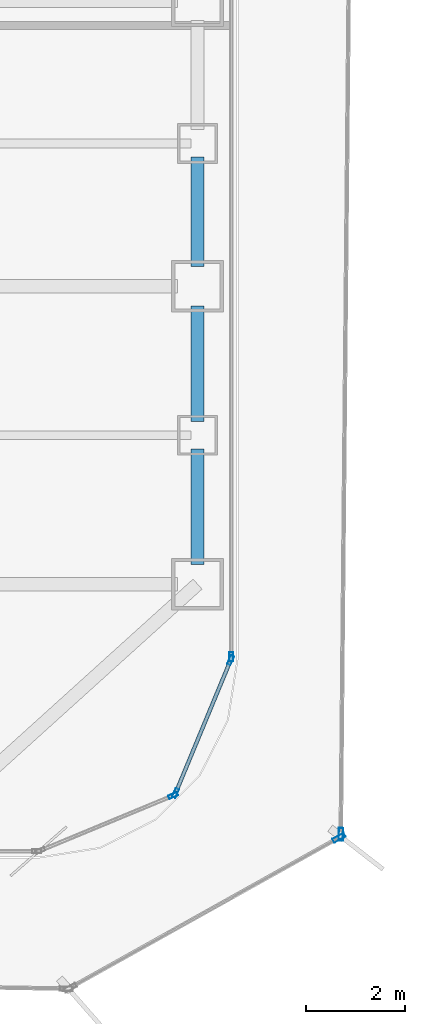
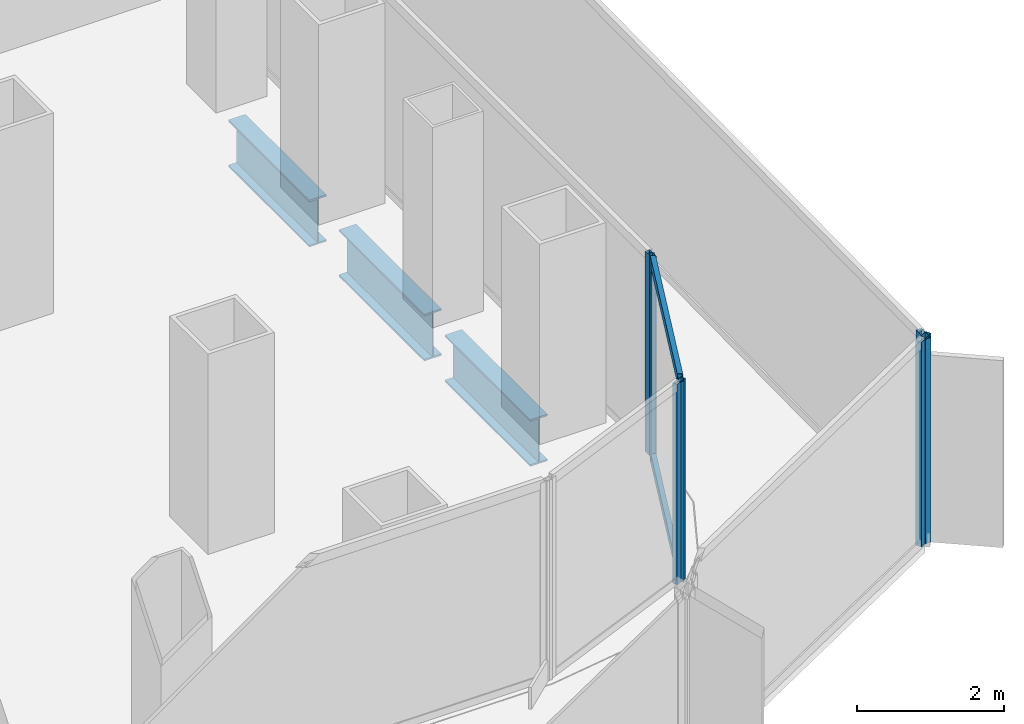
# One storey, part 8 of 21: 8 members, 3 beams, 5 elements without a shape of their own.
"""IFC4 building model written with IfcOpenShell, lengths in metres."""

from ifc_helpers import new_model, si_unit, direction, frame, origin, origin_2d, place, context, subcontext, project, spatial, hollow_rectangle, i_section, extrude, source, transform, mapped, material, layer, layer_set, material_profile, profile_set, type_object, element, aggregate, save


model = new_model("IFC4")

# Units and contexts
model_context = context("Model", 3, precision=1e-05, world=origin(), true_north=direction((0.0, 1.0)))
body_context = subcontext(model_context, "Body", "Model", "MODEL_VIEW")
ifc_project = project(units=[si_unit("LENGTHUNIT", "METRE"), si_unit("AREAUNIT", "SQUARE_METRE"), si_unit("VOLUMEUNIT", "CUBIC_METRE"), si_unit("PLANEANGLEUNIT", "RADIAN"), si_unit("MASSUNIT", "GRAM", prefix="KILO")], contexts=[model_context])

# Site, building, storey
site_placement = place(None, origin())
site = spatial("IfcSite", under=ifc_project, at=site_placement, CompositionType="ELEMENT")
building_placement = place(site_placement, origin())
building = spatial("IfcBuilding", under=site, at=building_placement, Name="Kolveth Station Tower", CompositionType="ELEMENT")
storey_placement = place(building_placement, frame((0.0, 0.0, 58.5)))
storey = spatial("IfcBuildingStorey", under=building, at=storey_placement, Name="L15", CompositionType="ELEMENT", Elevation=58.5)

# Beams
ifc_material_1 = material(Name="Steel S355", Category="steel")
ifc_material_profile_1 = material_profile(ifc_material_1, i_section(OverallWidth=0.26904296875, OverallDepth=0.77490234375, WebThickness=0.01708984375, FlangeThickness=0.0283203125, at=origin_2d()), Name="W760x220")
ifc_profile_set_1 = profile_set([ifc_material_profile_1], Name="Steel S355")
beam_type = type_object("IfcBeamType", Name="Beam_SP1", PredefinedType="SPANDREL", material=ifc_profile_set_1)
shared_shape_1 = source(origin(), body_context, "Body", "SweptSolid", [
    extrude(i_section(OverallWidth=0.26904296875, OverallDepth=0.77490234375, WebThickness=0.01708984375, FlangeThickness=0.0283203125, at=origin_2d()), origin(), (0.0, 0.0, 1.0), 2.320068359375),
])
for number, where, z_axis, x_axis, name in (
    (1, (46.199951171875, 5.89990234375, -0.66748046875), (0.0, 1.0, 0.0), (-1.0, 0.0, 0.0), "L15 Perimeter Spandrel BM-L15-PE-1"),
    (2, (46.199951171875, 8.780029296875, -0.66748046875), (0.0, 1.0, 0.0), (-1.0, 0.0, 0.0), "L15 Perimeter Spandrel BM-L15-PE-2"),
):
    element("IfcBeam", number, at=place(storey_placement, frame(where, z_axis=z_axis, x_axis=x_axis)), inside=storey, type_object=beam_type, Name=name, PredefinedType="SPANDREL", context=body_context, shape_type="MappedRepresentation", body=[
        mapped(shared_shape_1, transform((0.0, 0.0, 0.0), x_axis=(1.0, 0.0, 0.0), y_axis=(0.0, 1.0, 0.0), z_axis=(0.0, 0.0, 1.0), scale=1.0)),
    ])
shared_shape_2 = source(origin(), body_context, "Body", "SweptSolid", [
    extrude(i_section(OverallWidth=0.26904296875, OverallDepth=0.77490234375, WebThickness=0.01708984375, FlangeThickness=0.0283203125, at=origin_2d()), origin(), (0.0, 0.0, 1.0), 2.2001953125),
])
beam_placement = place(storey_placement, frame((46.199951171875, 11.89990234375, -0.66748046875), z_axis=(0.0, 1.0, 0.0), x_axis=(-1.0, 0.0, 0.0)))
element("IfcBeam", 3, at=beam_placement, inside=storey, type_object=beam_type, Name="L15 Perimeter Spandrel BM-L15-PE-3", PredefinedType="SPANDREL", context=body_context, shape_type="MappedRepresentation", body=[
    mapped(shared_shape_2, transform((0.0, 0.0, 0.0), x_axis=(1.0, 0.0, 0.0), y_axis=(0.0, 1.0, 0.0), z_axis=(0.0, 0.0, 1.0), scale=1.0)),
])

# Curtain wall, member
ifc_material_2 = material(Name="Aluminium 6063-T6 and low-E dark glass", Category="aluminium")
ifc_layer_1 = layer(ifc_material_2, 0.179931640625)
ifc_layer_set_1 = layer_set([ifc_layer_1], Name="Aluminium 6063-T6 and low-E dark glass")
curtain_wall_type_1 = type_object("IfcCurtainWallType", Name="CurtainWall_CW-Z1", PredefinedType="NOTDEFINED", material=ifc_layer_set_1)
curtain_wall_1_placement = place(storey_placement, origin())
curtain_wall_1 = element("IfcCurtainWall", 4, at=curtain_wall_1_placement, inside=storey, type_object=curtain_wall_type_1, Name="L15 Inner Thermal Curtain Wall 1", PredefinedType="NOTDEFINED")
ifc_material_3 = material(Name="Black anodized aluminium 6063-T6", Category="aluminium")
ifc_material_profile_2 = material_profile(ifc_material_3, hollow_rectangle(XDim=0.074951171875, YDim=0.18994140625, WallThickness=0.0048828125, at=origin_2d()), Name="ALU-75x190x5")
ifc_profile_set_2 = profile_set([ifc_material_profile_2], Name="Black anodized aluminium 6063-T6")
member_type_1 = type_object("IfcMemberType", Name="Mullion_ML1", PredefinedType="MULLION", material=ifc_profile_set_2)
shared_shape_3 = source(origin(), body_context, "Body", "SweptSolid", [
    extrude(hollow_rectangle(XDim=0.074951171875, YDim=0.18994140625, WallThickness=0.0048828125, at=origin_2d()), origin(), (0.0, 0.0, 1.0), 3.320068359375),
])
member_1_placement = place(storey_placement, frame((45.708984375, 1.241943359375, 0.0), z_axis=(0.0, 0.0, 1.0), x_axis=(-0.382672990201, 0.923883857728, 0.0)))
member_1 = element("IfcMember", 5, at=member_1_placement, type_object=member_type_1, Name="CW-Z1 mullion 2", PredefinedType="MULLION", context=body_context, shape_type="MappedRepresentation", body=[
    mapped(shared_shape_3, transform((0.0, 0.0, 0.0), x_axis=(1.0, 0.0, 0.0), y_axis=(0.0, 1.0, 0.0), z_axis=(0.0, 0.0, 1.0), scale=1.0)),
])
aggregate(curtain_wall_1, [member_1])

# Curtain wall, members
curtain_wall_2_placement = place(storey_placement, origin())
curtain_wall_2 = element("IfcCurtainWall", 6, at=curtain_wall_2_placement, inside=storey, type_object=curtain_wall_type_1, Name="L15 Inner Thermal Curtain Wall 2", PredefinedType="NOTDEFINED")
member_2_placement = place(storey_placement, frame((45.758056640625, 1.291015625, 0.0), z_axis=(0.0, 0.0, 1.0), x_axis=(-0.923883857728, 0.382672990201, 0.0)))
member_2 = element("IfcMember", 7, at=member_2_placement, type_object=member_type_1, Name="CW-Z1 mullion 1", PredefinedType="MULLION", context=body_context, shape_type="MappedRepresentation", body=[
    mapped(shared_shape_3, transform((0.0, 0.0, 0.0), x_axis=(1.0, 0.0, 0.0), y_axis=(0.0, 1.0, 0.0), z_axis=(0.0, 0.0, 1.0), scale=1.0)),
])
member_3_placement = place(storey_placement, frame((46.86572265625, 3.96533203125, 0.0), z_axis=(0.0, 0.0, 1.0), x_axis=(-0.923883857728, 0.382672990201, 0.0)))
member_3 = element("IfcMember", 8, at=member_3_placement, type_object=member_type_1, Name="CW-Z1 mullion 2", PredefinedType="MULLION", context=body_context, shape_type="MappedRepresentation", body=[
    mapped(shared_shape_3, transform((0.0, 0.0, 0.0), x_axis=(1.0, 0.0, 0.0), y_axis=(0.0, 1.0, 0.0), z_axis=(0.0, 0.0, 1.0), scale=1.0)),
])

# Curtain wall, member
curtain_wall_3_placement = place(storey_placement, origin())
curtain_wall_3 = element("IfcCurtainWall", 9, at=curtain_wall_3_placement, inside=storey, type_object=curtain_wall_type_1, Name="L15 Inner Thermal Curtain Wall 3", PredefinedType="NOTDEFINED")
member_4_placement = place(storey_placement, frame((46.8798828125, 4.03759765625, 0.0), z_axis=(0.0, 0.0, 1.0), x_axis=(-1.0, 0.0, 0.0)))
member_4 = element("IfcMember", 10, at=member_4_placement, type_object=member_type_1, Name="CW-Z1 mullion 1", PredefinedType="MULLION", context=body_context, shape_type="MappedRepresentation", body=[
    mapped(shared_shape_3, transform((0.0, 0.0, 0.0), x_axis=(1.0, 0.0, 0.0), y_axis=(0.0, 1.0, 0.0), z_axis=(0.0, 0.0, 1.0), scale=1.0)),
])
aggregate(curtain_wall_3, [member_4])

# Member
ifc_material_profile_3 = material_profile(ifc_material_3, hollow_rectangle(XDim=0.074951171875, YDim=0.159912109375, WallThickness=0.0048828125, at=origin_2d()), Name="ALU-75x160x5")
ifc_profile_set_3 = profile_set([ifc_material_profile_3], Name="Black anodized aluminium 6063-T6")
member_type_2 = type_object("IfcMemberType", Name="Transom_TR1", PredefinedType="USERDEFINED", material=ifc_profile_set_3)
shared_shape_4 = source(origin(), body_context, "Body", "SweptSolid", [
    extrude(hollow_rectangle(XDim=0.074951171875, YDim=0.159912109375, WallThickness=0.0048828125, at=origin_2d()), origin(), (0.0, 0.0, 1.0), 2.819580078125),
])
member_5_placement = place(storey_placement, frame((45.772216796875, 1.32568359375, 0.03759765625), z_axis=(0.382708655389, 0.923869084389, 0.0), x_axis=(-0.923869084389, 0.382708655389, 0.0)))
member_5 = element("IfcMember", 11, at=member_5_placement, type_object=member_type_2, Name="CW-Z1 transom 1.1", ObjectType="TRANSOM", PredefinedType="USERDEFINED", context=body_context, shape_type="MappedRepresentation", body=[
    mapped(shared_shape_4, transform((0.0, 0.0, 0.0), x_axis=(1.0, 0.0, 0.0), y_axis=(0.0, 1.0, 0.0), z_axis=(0.0, 0.0, 1.0), scale=1.0)),
])

member_6_placement = place(storey_placement, frame((45.772216796875, 1.32568359375, 3.282470703125), z_axis=(0.382708655389, 0.923869084389, 0.0), x_axis=(-0.923869084389, 0.382708655389, 0.0)))
member_6 = element("IfcMember", 12, at=member_6_placement, type_object=member_type_2, Name="CW-Z1 transom 1.2", ObjectType="TRANSOM", PredefinedType="USERDEFINED", context=body_context, shape_type="MappedRepresentation", body=[
    mapped(shared_shape_4, transform((0.0, 0.0, 0.0), x_axis=(1.0, 0.0, 0.0), y_axis=(0.0, 1.0, 0.0), z_axis=(0.0, 0.0, 1.0), scale=1.0)),
])

aggregate(curtain_wall_2, [member_2, member_3, member_5, member_6])

# Curtain wall, member
ifc_material_4 = material(Name="Black anodized aluminium 6063-T6 and dark solar glass", Category="aluminium")
ifc_layer_2 = layer(ifc_material_4, 0.159912109375)
ifc_layer_set_2 = layer_set([ifc_layer_2], Name="Black anodized aluminium 6063-T6 and dark solar glass")
curtain_wall_type_2 = type_object("IfcCurtainWallType", Name="OUTER SKIN CW-OS", PredefinedType="NOTDEFINED", material=ifc_layer_set_2)
curtain_wall_4_placement = place(storey_placement, origin())
curtain_wall_4 = element("IfcCurtainWall", 13, at=curtain_wall_4_placement, inside=storey, type_object=curtain_wall_type_2, Name="L15 Outer Ventilated Skin Curtain Wall 1", PredefinedType="NOTDEFINED")
ifc_material_profile_4 = material_profile(ifc_material_3, hollow_rectangle(XDim=0.090087890625, YDim=0.260009765625, WallThickness=0.0048828125, at=origin_2d()), Name="ALU-90x260x5")
ifc_profile_set_4 = profile_set([ifc_material_profile_4], Name="Black anodized aluminium 6063-T6")
member_type_3 = type_object("IfcMemberType", Name="FIN MULLION ML-OS", PredefinedType="MULLION", material=ifc_profile_set_4)
shared_shape_5 = source(origin(), body_context, "Body", "SweptSolid", [
    extrude(hollow_rectangle(XDim=0.090087890625, YDim=0.260009765625, WallThickness=0.0048828125, at=origin_2d()), origin(), (0.0, 0.0, 1.0), 3.389892578125),
])
member_7_placement = place(storey_placement, frame((49.049560546875, 0.392333984375, 0.0), z_axis=(0.0, 0.0, 1.0), x_axis=(-0.487713670316, 0.873003651646, 0.0)))
member_7 = element("IfcMember", 14, at=member_7_placement, type_object=member_type_3, Name="CW-OS mullion 2", PredefinedType="MULLION", context=body_context, shape_type="MappedRepresentation", body=[
    mapped(shared_shape_5, transform((0.0, 0.0, 0.0), x_axis=(1.0, 0.0, 0.0), y_axis=(0.0, 1.0, 0.0), z_axis=(0.0, 0.0, 1.0), scale=1.0)),
])
aggregate(curtain_wall_4, [member_7])

curtain_wall_5_placement = place(storey_placement, origin())
curtain_wall_5 = element("IfcCurtainWall", 15, at=curtain_wall_5_placement, inside=storey, type_object=curtain_wall_type_2, Name="L15 Outer Ventilated Skin Curtain Wall 2", PredefinedType="NOTDEFINED")
member_8_placement = place(storey_placement, frame((49.089111328125, 0.459228515625, 0.0), z_axis=(0.0, 0.0, 1.0), x_axis=(-0.999956243788, 0.009354705231, 0.0)))
member_8 = element("IfcMember", 16, at=member_8_placement, type_object=member_type_3, Name="CW-OS mullion 1", PredefinedType="MULLION", context=body_context, shape_type="MappedRepresentation", body=[
    mapped(shared_shape_5, transform((0.0, 0.0, 0.0), x_axis=(1.0, 0.0, 0.0), y_axis=(0.0, 1.0, 0.0), z_axis=(0.0, 0.0, 1.0), scale=1.0)),
])
aggregate(curtain_wall_5, [member_8])

save(model, "model.ifc")
